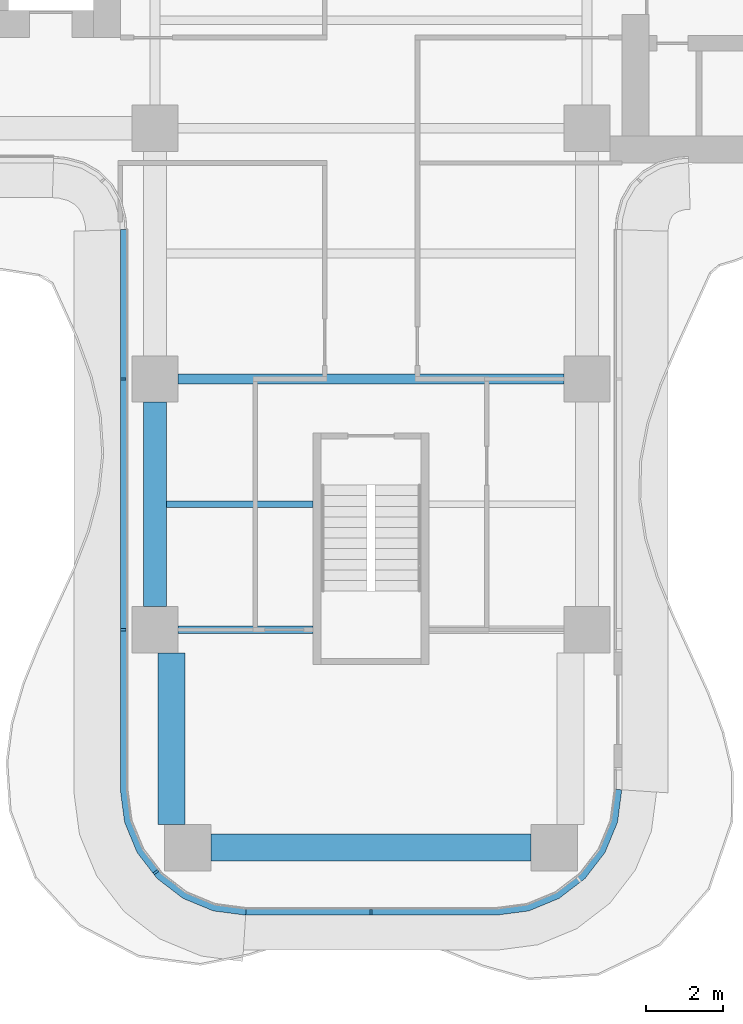
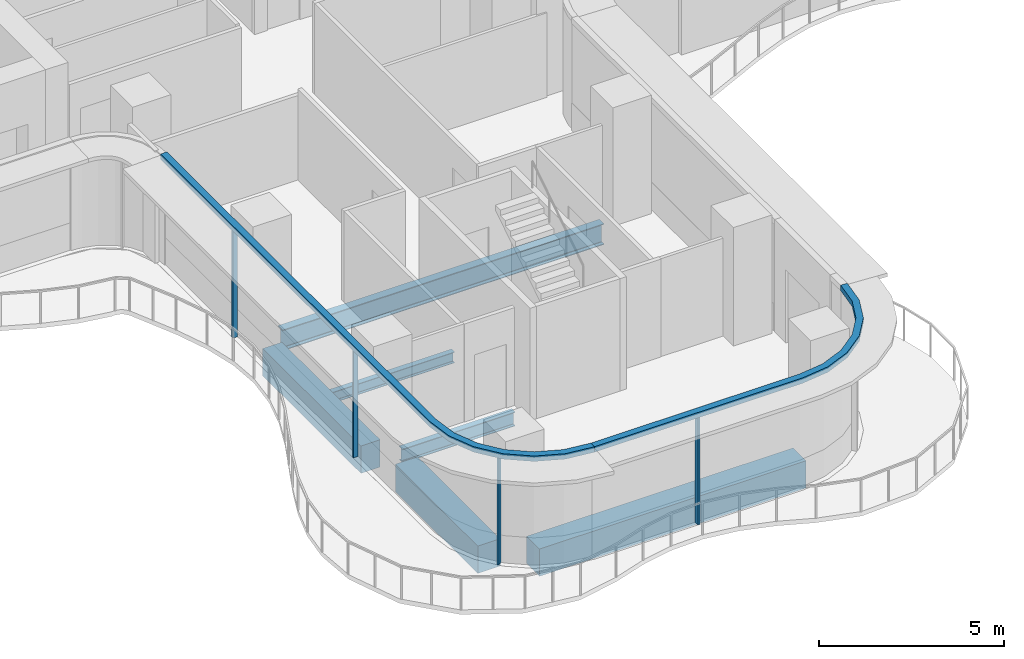
# One storey, part 2 of 18: 6 beams, 6 members, 2 elements without a shape of their own.
"""IFC4 building model written with IfcOpenShell, lengths in metres."""

from ifc_helpers import new_model, si_unit, direction, frame, origin, origin_2d, place, context, subcontext, project, spatial, polyline, rectangle, i_section, outline, extrude, source, transform, mapped, material, layer, layer_set, material_profile, profile_set, type_object, element, aggregate, save


model = new_model("IFC4")

# Units and contexts
model_context = context("Model", 3, precision=1e-05, world=origin(), true_north=direction((0.0, 1.0)))
body_context = subcontext(model_context, "Body", "Model", "MODEL_VIEW")
ifc_project = project(units=[si_unit("LENGTHUNIT", "METRE"), si_unit("AREAUNIT", "SQUARE_METRE"), si_unit("VOLUMEUNIT", "CUBIC_METRE"), si_unit("PLANEANGLEUNIT", "RADIAN"), si_unit("MASSUNIT", "GRAM", prefix="KILO")], contexts=[model_context])

# Site, building, storey
site_placement = place(None, origin())
site = spatial("IfcSite", under=ifc_project, at=site_placement, CompositionType="ELEMENT")
building_placement = place(site_placement, origin())
building = spatial("IfcBuilding", under=site, at=building_placement, Name="Trellis Farm Tower", CompositionType="ELEMENT")
storey_placement = place(building_placement, frame((0.0, 0.0, 204.89990234375)))
storey = spatial("IfcBuildingStorey", under=building, at=storey_placement, Name="L45", CompositionType="ELEMENT", Elevation=204.89990234375)

# Beams
ifc_material_1 = material(Name="Steel S355", Category="steel")
ifc_material_profile_1 = material_profile(ifc_material_1, i_section(OverallWidth=0.1904296875, OverallDepth=0.45703125, WebThickness=0.009033203125, FlangeThickness=0.014404296875, FilletRadius=0.01025390625, at=origin_2d()), Name="UB 457x191x74")
ifc_profile_set_1 = profile_set([ifc_material_profile_1], Name="Steel S355")
beam_type_1 = type_object("IfcBeamType", Name="UB 457x191x74", PredefinedType="BEAM", material=ifc_profile_set_1)
shared_shape_1 = source(origin(), body_context, "Body", "SweptSolid", [
    extrude(i_section(OverallWidth=0.1904296875, OverallDepth=0.45703125, WebThickness=0.009033203125, FlangeThickness=0.014404296875, FilletRadius=0.01025390625, at=origin_2d()), origin(), (0.0, 0.0, 1.0), 3.5),
])
beam_1_placement = place(storey_placement, frame((-5.0, -18.60009765625, -0.428466796875), z_axis=(1.0, 0.0, 0.0), x_axis=(0.0, 1.0, 0.0)))
element("IfcBeam", 1, at=beam_1_placement, inside=storey, type_object=beam_type_1, Name="Girder", PredefinedType="BEAM", context=body_context, shape_type="MappedRepresentation", body=[
    mapped(shared_shape_1, transform((0.0, 0.0, 0.0))),
])
ifc_material_2 = material(Name="Concrete C60/75", Category="concrete")
ifc_material_profile_2 = material_profile(ifc_material_2, rectangle(XDim=0.60009765625, YDim=0.89990234375, at=origin_2d()), Name="RC spandrel beam 600x900 C60/75")
ifc_profile_set_2 = profile_set([ifc_material_profile_2], Name="Concrete C60/75")
beam_type_2 = type_object("IfcBeamType", Name="RC spandrel beam 600x900 C60/75", PredefinedType="SPANDREL", material=ifc_profile_set_2)
shared_shape_2 = source(origin(), body_context, "Body", "SweptSolid", [
    extrude(rectangle(XDim=0.60009765625, YDim=0.89990234375, at=origin_2d()), origin(), (0.0, 0.0, 1.0), 5.300048828125),
])
beam_2_placement = place(storey_placement, frame((-5.60009765625, -18.0, -0.64990234375), z_axis=(0.0, 1.0, 0.0), x_axis=(-1.0, 0.0, 0.0)))
element("IfcBeam", 2, at=beam_2_placement, inside=storey, type_object=beam_type_2, Name="Girder", PredefinedType="SPANDREL", context=body_context, shape_type="MappedRepresentation", body=[
    mapped(shared_shape_2, transform((0.0, 0.0, 0.0))),
])
ifc_material_profile_3 = material_profile(ifc_material_1, i_section(OverallWidth=0.253662109375, OverallDepth=0.68359375, WebThickness=0.012451171875, FlangeThickness=0.021728515625, FilletRadius=0.01513671875, at=origin_2d()), Name="UB 686x254x140")
ifc_profile_set_3 = profile_set([ifc_material_profile_3], Name="Steel S355")
beam_type_3 = type_object("IfcBeamType", Name="UB 686x254x140", PredefinedType="BEAM", material=ifc_profile_set_3)
shared_shape_3 = source(origin(), body_context, "Body", "SweptSolid", [
    extrude(i_section(OverallWidth=0.253662109375, OverallDepth=0.68359375, WebThickness=0.012451171875, FlangeThickness=0.021728515625, FilletRadius=0.01513671875, at=origin_2d()), origin(), (0.0, 0.0, 1.0), 10.0),
])
beam_3_placement = place(storey_placement, frame((-5.0, -12.10009765625, -0.54150390625), z_axis=(1.0, 0.0, 0.0), x_axis=(0.0, 1.0, 0.0)))
element("IfcBeam", 3, at=beam_3_placement, inside=storey, type_object=beam_type_3, Name="Girder", PredefinedType="BEAM", context=body_context, shape_type="MappedRepresentation", body=[
    mapped(shared_shape_3, transform((0.0, 0.0, 0.0))),
])
ifc_material_profile_4 = material_profile(ifc_material_2, rectangle(XDim=0.699951171875, YDim=0.89990234375, at=origin_2d()), Name="RC spandrel beam 700x900 C60/75")
ifc_profile_set_4 = profile_set([ifc_material_profile_4], Name="Concrete C60/75")
beam_type_4 = type_object("IfcBeamType", Name="RC spandrel beam 700x900 C60/75", PredefinedType="SPANDREL", material=ifc_profile_set_4)
shared_shape_4 = source(origin(), body_context, "Body", "SweptSolid", [
    extrude(rectangle(XDim=0.699951171875, YDim=0.89990234375, at=origin_2d()), origin(), (0.0, 0.0, 1.0), 8.2998046875),
])
beam_4_placement = place(storey_placement, frame((-4.14990234375, -24.25, -0.64990234375), z_axis=(1.0, 0.0, 0.0), x_axis=(0.0, 1.0, 0.0)))
element("IfcBeam", 4, at=beam_4_placement, inside=storey, type_object=beam_type_4, Name="Girder", PredefinedType="SPANDREL", context=body_context, shape_type="MappedRepresentation", body=[
    mapped(shared_shape_4, transform((0.0, 0.0, 0.0))),
])
shared_shape_5 = source(origin(), body_context, "Body", "SweptSolid", [
    extrude(rectangle(XDim=0.699951171875, YDim=0.89990234375, at=origin_2d()), origin(), (0.0, 0.0, 1.0), 4.449951171875),
])
beam_5_placement = place(storey_placement, frame((-5.175048828125, -23.64990234375, -0.64990234375), z_axis=(0.0, 1.0, 0.0), x_axis=(-1.0, 0.0, 0.0)))
element("IfcBeam", 5, at=beam_5_placement, inside=storey, type_object=beam_type_4, Name="Girder", PredefinedType="SPANDREL", context=body_context, shape_type="MappedRepresentation", body=[
    mapped(shared_shape_5, transform((0.0, 0.0, 0.0))),
])
ifc_material_profile_5 = material_profile(ifc_material_1, i_section(OverallWidth=0.17138671875, OverallDepth=0.35498046875, WebThickness=0.00732421875, FlangeThickness=0.011474609375, FilletRadius=0.01025390625, at=origin_2d()), Name="UB 356x171x51")
ifc_profile_set_5 = profile_set([ifc_material_profile_5], Name="Steel S355")
beam_type_5 = type_object("IfcBeamType", Name="UB 356x171x51 joist", PredefinedType="JOIST", material=ifc_profile_set_5)
shared_shape_6 = source(origin(), body_context, "Body", "SweptSolid", [
    extrude(i_section(OverallWidth=0.17138671875, OverallDepth=0.35498046875, WebThickness=0.00732421875, FlangeThickness=0.011474609375, FilletRadius=0.01025390625, at=origin_2d()), origin(), (0.0, 0.0, 1.0), 3.800048828125),
])
beam_6_placement = place(storey_placement, frame((-5.300048828125, -15.35009765625, -0.37744140625), z_axis=(1.0, 0.0, 0.0), x_axis=(0.0, 1.0, 0.0)))
element("IfcBeam", 6, at=beam_6_placement, inside=storey, type_object=beam_type_5, Name="Floor beam", PredefinedType="JOIST", context=body_context, shape_type="MappedRepresentation", body=[
    mapped(shared_shape_6, transform((0.0, 0.0, 0.0))),
])

# Curtain wall, members
ifc_material_3 = material(Name="Aluminium and glass curtain wall", Category="aluminium")
ifc_layer_1 = layer(ifc_material_3, 0.18994140625)
ifc_layer_set_1 = layer_set([ifc_layer_1], Name="RIBBON CURTAIN WALL CW1")
curtain_wall_type = type_object("IfcCurtainWallType", Name="RIBBON CURTAIN WALL CW1", PredefinedType="NOTDEFINED", material=ifc_layer_set_1)
placement_1 = place(storey_placement, origin())
curtain_wall_1 = element("IfcCurtainWall", 7, at=placement_1, inside=storey, type_object=curtain_wall_type, Name="CW1 002", PredefinedType="NOTDEFINED")
ifc_material_4 = material(Name="Aluminium extrusion 6063-T6", Category="aluminium")
ifc_material_profile_6 = material_profile(ifc_material_4, rectangle(XDim=0.06005859375, YDim=0.14990234375, at=origin_2d()), Name="MULLION 60x150")
ifc_profile_set_6 = profile_set([ifc_material_profile_6], Name="Aluminium extrusion 6063-T6")
member_type_1 = type_object("IfcMemberType", Name="CW1 MULLION 60x150", PredefinedType="MULLION", material=ifc_profile_set_6)
shared_shape_7 = source(origin(), body_context, "Body", "SweptSolid", [
    extrude(rectangle(XDim=0.06005859375, YDim=0.14990234375, at=origin_2d()), origin(), (0.0, 0.0, 1.0), 3.52001953125),
])
member_1_placement = place(storey_placement, frame((-6.425048828125, -12.10009765625, 0.0), z_axis=(0.0, 0.0, 1.0), x_axis=(0.0, -1.0, 0.0)))
member_1 = element("IfcMember", 8, at=member_1_placement, type_object=member_type_1, Name="MU1 002-01", PredefinedType="MULLION", context=body_context, shape_type="MappedRepresentation", body=[
    mapped(shared_shape_7, transform((0.0, 0.0, 0.0))),
])
member_2_placement = place(storey_placement, frame((-6.425048828125, -18.60009765625, 0.0), z_axis=(0.0, 0.0, 1.0), x_axis=(0.0, -1.0, 0.0)))
member_2 = element("IfcMember", 9, at=member_2_placement, type_object=member_type_1, Name="MU1 002-02", PredefinedType="MULLION", context=body_context, shape_type="MappedRepresentation", body=[
    mapped(shared_shape_7, transform((0.0, 0.0, 0.0))),
])
member_3_placement = place(storey_placement, frame((-5.578369140625, -24.885498046875, 0.0), z_axis=(0.0, 0.0, 1.0), x_axis=(0.608761429009, -0.793353340291, 0.0)))
member_3 = element("IfcMember", 10, at=member_3_placement, type_object=member_type_1, Name="MU1 002-03", PredefinedType="MULLION", context=body_context, shape_type="MappedRepresentation", body=[
    mapped(shared_shape_7, transform((0.0, 0.0, 0.0))),
])

# Curtain wall, member
curtain_wall_2 = element("IfcCurtainWall", 11, at=placement_1, inside=storey, type_object=curtain_wall_type, Name="CW1 003", PredefinedType="NOTDEFINED")
member_4_placement = place(storey_placement, frame((0.0, -25.925048828125, 0.0), z_axis=(0.0, 0.0, 1.0), x_axis=(1.0, 0.0, 0.0)))
member_4 = element("IfcMember", 12, at=member_4_placement, type_object=member_type_1, Name="MU1 003-01", PredefinedType="MULLION", context=body_context, shape_type="MappedRepresentation", body=[
    mapped(shared_shape_7, transform((0.0, 0.0, 0.0))),
])

# Member
ifc_layer_2 = layer(ifc_material_4, 0.199951171875)
ifc_layer_set_2 = layer_set([ifc_layer_2], Name="Aluminium extrusion 6063-T6")
member_type_2 = type_object("IfcMemberType", Name="CW1 TRANSOM 200x180", PredefinedType="USERDEFINED", material=ifc_layer_set_2)
shared_shape_8 = source(origin(), body_context, "Body", "SweptSolid", [
    extrude(outline(polyline([(-6.5, -8.2314453125), (-6.5, -22.75), (-6.38916015625, -23.591064453125), (-6.064697265625, -24.375), (-5.548095703125, -25.048095703125), (-4.875, -25.564697265625), (-4.091064453125, -25.88916015625), (-3.25, -26.0), (-3.23681640625, -25.800048828125), (-4.0390625, -25.6943359375), (-4.774169921875, -25.389892578125), (-5.405517578125, -24.905517578125), (-5.889892578125, -24.274169921875), (-6.1943359375, -23.5390625), (-6.300048828125, -22.73681640625), (-6.300048828125, -8.224853515625), (-6.5, -8.2314453125)])), origin(), (0.0, 0.0, 1.0), 0.18017578125),
])
placement_2 = place(storey_placement, frame((0.0, 0.0, 3.52001953125)))
member_5 = element("IfcMember", 13, at=placement_2, type_object=member_type_2, Name="TR1 002", ObjectType="TRANSOM", PredefinedType="USERDEFINED", context=body_context, shape_type="MappedRepresentation", body=[
    mapped(shared_shape_8, transform((0.0, 0.0, 0.0))),
])

aggregate(curtain_wall_1, [member_1, member_2, member_3, member_5])

shared_shape_9 = source(origin(), body_context, "Body", "SweptSolid", [
    extrude(outline(polyline([(-3.25, -26.0), (3.25, -26.0), (4.091064453125, -25.88916015625), (4.875, -25.564697265625), (5.548095703125, -25.048095703125), (6.064697265625, -24.375), (6.38916015625, -23.591064453125), (6.5, -22.75), (6.300048828125, -22.73681640625), (6.1943359375, -23.5390625), (5.889892578125, -24.274169921875), (5.405517578125, -24.905517578125), (4.774169921875, -25.389892578125), (4.0390625, -25.6943359375), (3.23681640625, -25.800048828125), (-3.23681640625, -25.800048828125), (-3.25, -26.0)])), origin(), (0.0, 0.0, 1.0), 0.18017578125),
])
member_6 = element("IfcMember", 14, at=placement_2, type_object=member_type_2, Name="TR1 003", ObjectType="TRANSOM", PredefinedType="USERDEFINED", context=body_context, shape_type="MappedRepresentation", body=[
    mapped(shared_shape_9, transform((0.0, 0.0, 0.0))),
])

aggregate(curtain_wall_2, [member_4, member_6])

save(model, "model.ifc")
